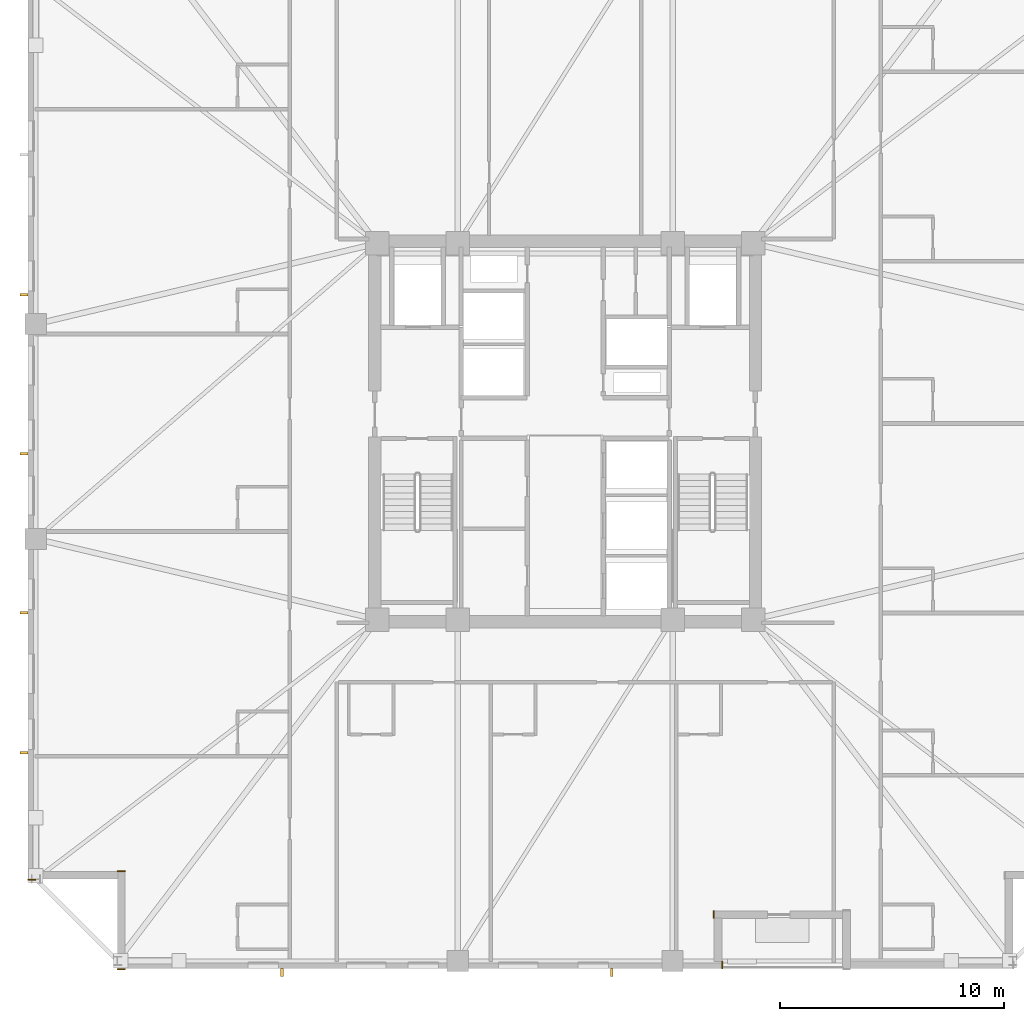
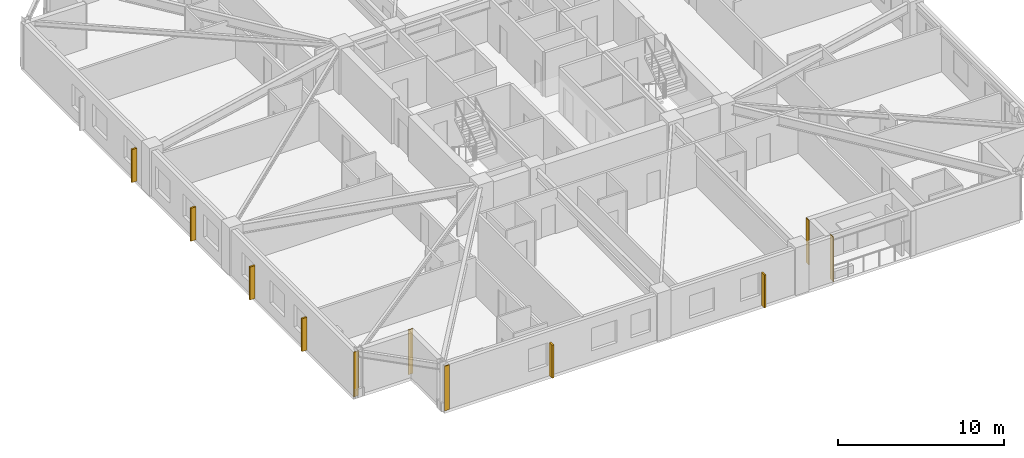
# One storey, part 7 of 11: 6 shading devices, 5 coverings.
"""IFC4 building model written with IfcOpenShell, lengths in metres."""

from ifc_helpers import new_model, si_unit, direction, frame, frame_2d, origin, origin_2d, place, context, subcontext, project, spatial, rectangle, extrude, material, layer, layer_set, type_object, element, save


model = new_model("IFC4")

# Units and contexts
model_context = context("Model", 3, precision=1e-05, world=origin(), true_north=direction((0.0, 1.0)))
body_context = subcontext(model_context, "Body", "Model", "MODEL_VIEW")
ifc_project = project(units=[si_unit("LENGTHUNIT", "METRE"), si_unit("AREAUNIT", "SQUARE_METRE"), si_unit("VOLUMEUNIT", "CUBIC_METRE"), si_unit("PLANEANGLEUNIT", "RADIAN"), si_unit("MASSUNIT", "GRAM", prefix="KILO")], contexts=[model_context])

# Site, building, storey
site_placement = place(None, origin())
site = spatial("IfcSite", under=ifc_project, at=site_placement, CompositionType="ELEMENT")
building_placement = place(site_placement, origin())
building = spatial("IfcBuilding", under=site, at=building_placement, Name="Cairnveth Concourse Tower", CompositionType="ELEMENT")
storey_placement = place(building_placement, frame((0.0, 0.0, 169.0)))
storey = spatial("IfcBuildingStorey", under=building, at=storey_placement, Name="L46", CompositionType="ELEMENT", Elevation=169.0)

# Coverings
ifc_material_1 = material(Name="Dressed Melbourne Bluestone Cladding", Category="masonry")
ifc_layer = layer(ifc_material_1, 0.050048828125)
ifc_layer_set = layer_set([ifc_layer], Name="Dressed Melbourne Bluestone Cladding")
covering_type = type_object("IfcCoveringType", Name="DRESSED BLUESTONE PLINTH CLADDING 50", PredefinedType="CLADDING", material=ifc_layer_set)
for number, where, z_axis, x_axis, name in (
    (1, (59.02001953125, 15.340087890625, 0.0), (0.0, 0.0, 1.0), (0.0, -1.0, 0.0), "Melbourne Bluestone Corner Quoin L46-675"),
    (2, (32.340087890625, 14.97998046875, 0.0), (0.0, 0.0, 1.0), (-1.0, 0.0, 0.0), "Melbourne Bluestone Corner Quoin L46-676"),
    (3, (32.340087890625, 19.360107421875, 0.0), (0.0, 0.0, 1.0), (-1.0, 0.0, 0.0), "Melbourne Bluestone Corner Quoin L46-677"),
    (4, (28.340087890625, 18.97998046875, 0.0), (0.0, 0.0, 1.0), (-1.0, 0.0, 0.0), "Melbourne Bluestone Corner Quoin L46-678"),
    (5, (58.639892578125, 17.590087890625, 0.0), (0.0, 0.0, 1.0), (0.0, -1.0, 0.0), "Melbourne Bluestone Corner Quoin L46-690"),
):
    element("IfcCovering", number, at=place(storey_placement, frame(where, z_axis=z_axis, x_axis=x_axis)), inside=storey, type_object=covering_type, Name=name, PredefinedType="CLADDING", context=body_context, shape_type="SweptSolid", body=[
        extrude(rectangle(XDim=0.340087890625, YDim=0.050048828125, at=frame_2d((0.169921875, 0.0))), origin(), (0.0, 0.0, 1.0), 3.280029296875),
    ])

# Shading devices
ifc_material_2 = material(Name="Architectural Bronze Anodised Aluminium 6063-T6", Category="aluminium")
shading_device_type = type_object("IfcShadingDeviceType", Name="GOTHIC BRONZE VERTICAL LANCET FIN", PredefinedType="USERDEFINED", material=ifc_material_2)
for number, where, z_axis, x_axis, name in (
    (6, (54.0869140625, 14.824951171875, 0.030029296875), (0.0, 0.0, 1.0), (1.0, 0.0, 0.0), "Gothic Bronze Vertical Fin L46-0-1"),
    (7, (39.351318359375, 14.824951171875, 0.030029296875), (0.0, 0.0, 1.0), (1.0, 0.0, 0.0), "Gothic Bronze Vertical Fin L46-0-5"),
    (8, (27.824951171875, 24.641845703125, 0.030029296875), (0.0, 0.0, 1.0), (0.0, 1.0, 0.0), "Gothic Bronze Vertical Fin L46-3-1"),
    (9, (27.824951171875, 30.89892578125, 0.030029296875), (0.0, 0.0, 1.0), (0.0, 1.0, 0.0), "Gothic Bronze Vertical Fin L46-3-3"),
    (10, (27.824951171875, 38.006103515625, 0.030029296875), (0.0, 0.0, 1.0), (0.0, 1.0, 0.0), "Gothic Bronze Vertical Fin L46-3-5"),
    (11, (27.824951171875, 45.113037109375, 0.030029296875), (0.0, 0.0, 1.0), (0.0, 1.0, 0.0), "Gothic Bronze Vertical Fin L46-3-7"),
):
    element("IfcShadingDevice", number, at=place(storey_placement, frame(where, z_axis=z_axis, x_axis=x_axis)), inside=storey, type_object=shading_device_type, Name=name, ObjectType="VERTICAL FIN", PredefinedType="USERDEFINED", context=body_context, shape_type="SweptSolid", body=[
        extrude(rectangle(XDim=0.1201171875, YDim=0.360107421875, at=origin_2d()), origin(), (0.0, 0.0, 1.0), 2.419921875),
    ])

save(model, "model.ifc")
